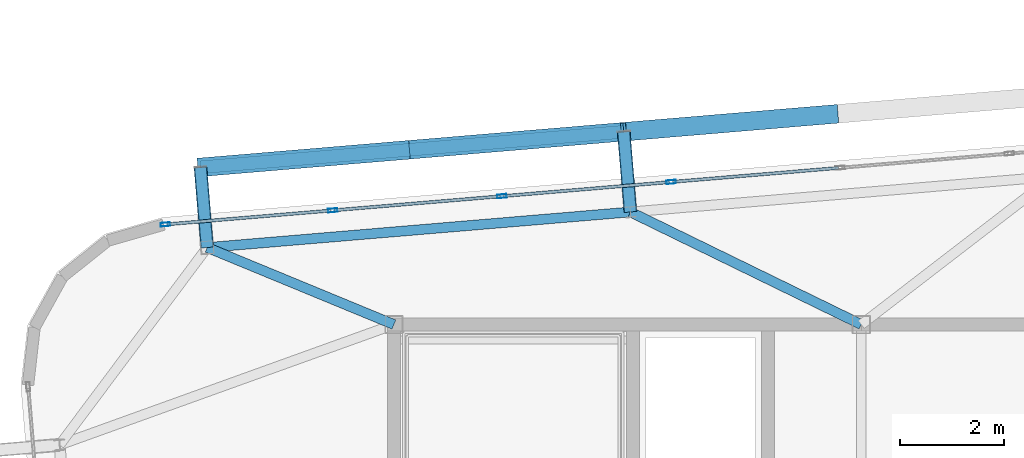
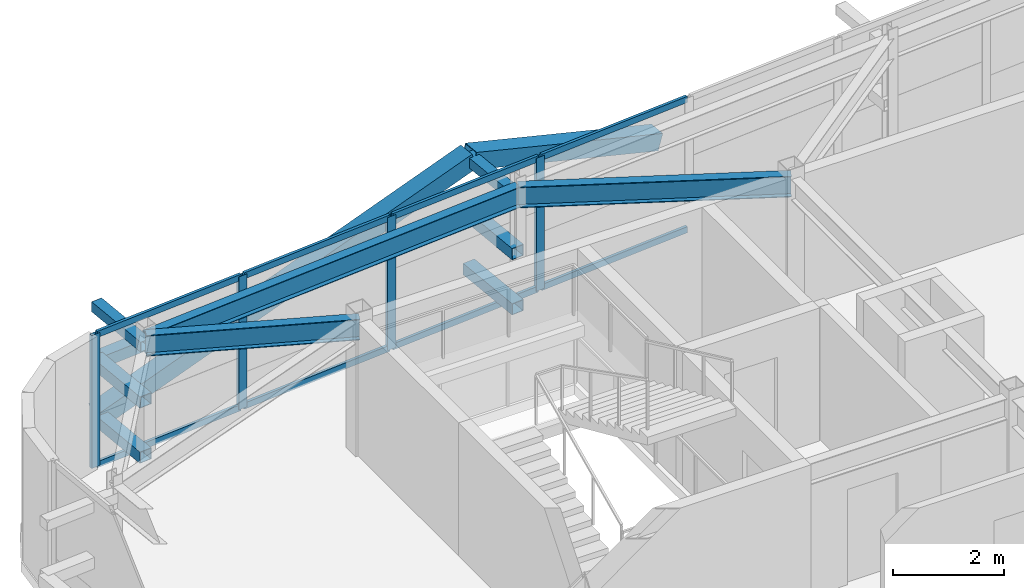
# One storey, part 27 of 46: 22 members, 3 beams, 1 element without a shape of its own.
"""IFC4 building model written with IfcOpenShell, lengths in metres."""

from ifc_helpers import new_model, si_unit, direction, frame, origin, origin_2d, place, context, subcontext, project, spatial, hollow_rectangle, i_section, extrude, source, transform, mapped, material, layer, layer_set, material_profile, profile_set, type_object, element, aggregate, save


model = new_model("IFC4")

# Units and contexts
model_context = context("Model", 3, precision=1e-05, world=origin(), true_north=direction((0.0, 1.0)))
body_context = subcontext(model_context, "Body", "Model", "MODEL_VIEW")
ifc_project = project(units=[si_unit("LENGTHUNIT", "METRE"), si_unit("AREAUNIT", "SQUARE_METRE"), si_unit("VOLUMEUNIT", "CUBIC_METRE"), si_unit("PLANEANGLEUNIT", "RADIAN"), si_unit("MASSUNIT", "GRAM", prefix="KILO")], contexts=[model_context])

# Site, building, storey
site_placement = place(None, origin())
site = spatial("IfcSite", under=ifc_project, at=site_placement, CompositionType="ELEMENT")
building_placement = place(site_placement, origin())
building = spatial("IfcBuilding", under=site, at=building_placement, Name="Taldren Reach Tower", CompositionType="ELEMENT")
storey_placement = place(building_placement, frame((0.0, 0.0, 185.14990234375)))
storey = spatial("IfcBuildingStorey", under=building, at=storey_placement, Name="L56", CompositionType="ELEMENT", Elevation=185.14990234375)

# Members
ifc_material_1 = material(Name="Steel Gr 350 (C350L0)", Category="steel")
ifc_material_profile_1 = material_profile(ifc_material_1, hollow_rectangle(XDim=0.25, YDim=0.25, WallThickness=0.010009765625, at=origin_2d()), Name="250x250x10.0SHS")
ifc_profile_set_1 = profile_set([ifc_material_profile_1], Name="Steel Gr 350 (C350L0)")
member_type_1 = type_object("IfcMemberType", Name="MB-POST250", PredefinedType="POST", material=ifc_profile_set_1)
shared_shape_1 = source(origin(), body_context, "Body", "SweptSolid", [
    extrude(hollow_rectangle(XDim=0.25, YDim=0.25, WallThickness=0.010009765625, at=origin_2d()), origin(), (0.0, 0.0, 1.0), 1.5498046875),
])
for number, where, z_axis, x_axis, name in (
    (1, (15.40380859375, 33.483642578125, 0.22021484375), (-0.083645141657, 0.996495604746, 0.0), (-0.996495604746, -0.083645141657, 0.0), "Exoskeleton base diaphragm tie strut B4-N1 L56"),
    (2, (15.40380859375, 33.483642578125, 1.43505859375), (-0.083645141657, 0.996495604746, 0.0), (-0.996495604746, -0.083645141657, 0.0), "Exoskeleton mid-tier diaphragm tie B4-N1 L56"),
):
    element("IfcMember", number, at=place(storey_placement, frame(where, z_axis=z_axis, x_axis=x_axis)), inside=storey, type_object=member_type_1, Name=name, PredefinedType="POST", context=body_context, shape_type="MappedRepresentation", body=[
        mapped(shared_shape_1, transform((0.0, 0.0, 0.0), scale=1.0)),
    ])
shared_shape_2 = source(origin(), body_context, "Body", "SweptSolid", [
    extrude(hollow_rectangle(XDim=0.25, YDim=0.25, WallThickness=0.010009765625, at=origin_2d()), origin(), (0.0, 0.0, 1.0), 1.550048828125),
])
for number, where, z_axis, x_axis, name in (
    (3, (23.55517578125, 34.16796875, 0.22021484375), (-0.083788408178, 0.996483568683, 0.0), (-0.996483568683, -0.083788408178, 0.0), "Exoskeleton base diaphragm tie strut B4-N2 L56"),
    (4, (23.55517578125, 34.16796875, 1.43505859375), (-0.083788408178, 0.996483568683, 0.0), (-0.996483568683, -0.083788408178, 0.0), "Exoskeleton mid-tier diaphragm tie B4-N2 L56"),
):
    element("IfcMember", number, at=place(storey_placement, frame(where, z_axis=z_axis, x_axis=x_axis)), inside=storey, type_object=member_type_1, Name=name, PredefinedType="POST", context=body_context, shape_type="MappedRepresentation", body=[
        mapped(shared_shape_2, transform((0.0, 0.0, 0.0), scale=1.0)),
    ])

# Beams
ifc_material_2 = material(Name="Steel Gr 350 (350PLUS)", Category="steel")
ifc_material_profile_2 = material_profile(ifc_material_2, i_section(OverallWidth=0.18994140625, OverallDepth=0.4541015625, WebThickness=0.008544921875, FlangeThickness=0.0126953125, at=origin_2d()), Name="460UB67.1")
ifc_profile_set_2 = profile_set([ifc_material_profile_2], Name="Steel Gr 350 (350PLUS)")
beam_type_1 = type_object("IfcBeamType", Name="SP-UB460B", PredefinedType="SPANDREL", material=ifc_profile_set_2)
shared_shape_3 = source(origin(), body_context, "Body", "SweptSolid", [
    extrude(i_section(OverallWidth=0.18994140625, OverallDepth=0.4541015625, WebThickness=0.008544921875, FlangeThickness=0.0126953125, at=origin_2d()), origin(), (0.0, 0.0, 1.0), 8.179931640625),
])
beam_1_placement = place(storey_placement, frame((23.55517578125, 34.16796875, 2.703125), z_axis=(-0.996494523218, -0.083658025296, 0.0), x_axis=(0.083658025296, -0.996494523218, 0.0)))
element("IfcBeam", 5, at=beam_1_placement, inside=storey, type_object=beam_type_1, Name="Perimeter spandrel B4 N2-N1 L56", PredefinedType="SPANDREL", context=body_context, shape_type="MappedRepresentation", body=[
    mapped(shared_shape_3, transform((0.0, 0.0, 0.0), scale=1.0)),
])
ifc_material_profile_3 = material_profile(ifc_material_2, i_section(OverallWidth=0.19091796875, OverallDepth=0.4599609375, WebThickness=0.010009765625, FlangeThickness=0.01611328125, at=origin_2d()), Name="460UB82.1")
ifc_profile_set_3 = profile_set([ifc_material_profile_3], Name="Steel Gr 350 (350PLUS)")
beam_type_2 = type_object("IfcBeamType", Name="BM-UB460A", PredefinedType="BEAM", material=ifc_profile_set_3)
shared_shape_4 = source(origin(), body_context, "Body", "SweptSolid", [
    extrude(i_section(OverallWidth=0.19091796875, OverallDepth=0.4599609375, WebThickness=0.010009765625, FlangeThickness=0.01611328125, at=origin_2d()), origin(), (0.0, 0.0, 1.0), 4.9453125),
])
beam_2_placement = place(storey_placement, frame((28.0, 32.0, 2.7001953125), z_axis=(-0.898787423235, 0.438384725823, 0.0), x_axis=(-0.438384725823, -0.898787423235, 0.0)))
element("IfcBeam", 6, at=beam_2_placement, inside=storey, type_object=beam_type_2, Name="Primary floor girder B4-N2 L56", PredefinedType="BEAM", context=body_context, shape_type="MappedRepresentation", body=[
    mapped(shared_shape_4, transform((0.0, 0.0, 0.0), scale=1.0)),
])
shared_shape_5 = source(origin(), body_context, "Body", "SweptSolid", [
    extrude(i_section(OverallWidth=0.19091796875, OverallDepth=0.4599609375, WebThickness=0.010009765625, FlangeThickness=0.01611328125, at=origin_2d()), origin(), (0.0, 0.0, 1.0), 3.89013671875),
])
beam_3_placement = place(storey_placement, frame((19.0, 32.0, 2.7001953125), z_axis=(-0.924419242179, 0.381377850287, 0.0), x_axis=(-0.381377850287, -0.924419242179, 0.0)))
element("IfcBeam", 7, at=beam_3_placement, inside=storey, type_object=beam_type_2, Name="Primary floor girder B4-N1 L56", PredefinedType="BEAM", context=body_context, shape_type="MappedRepresentation", body=[
    mapped(shared_shape_5, transform((0.0, 0.0, 0.0), scale=1.0)),
])

# Members
ifc_material_3 = material(Name="Steel Gr 450 (C450L0)", Category="steel")
ifc_material_profile_4 = material_profile(ifc_material_3, hollow_rectangle(XDim=0.219970703125, YDim=0.219970703125, WallThickness=0.00830078125, at=origin_2d()), Name="220x220x8.2SHS")
ifc_profile_set_4 = profile_set([ifc_material_profile_4], Name="Steel Gr 450 (C450L0)")
member_type_2 = type_object("IfcMemberType", Name="MB-TIE219", PredefinedType="STRUT", material=ifc_profile_set_4)
shared_shape_6 = source(origin(), body_context, "Body", "SweptSolid", [
    extrude(hollow_rectangle(XDim=0.219970703125, YDim=0.219970703125, WallThickness=0.00830078125, at=origin_2d()), origin(), (0.0, 0.0, 1.0), 1.5498046875),
])
member_1_placement = place(storey_placement, frame((15.40380859375, 33.483642578125, 2.650146484375), z_axis=(-0.083645141657, 0.996495604746, 0.0), x_axis=(-0.996495604746, -0.083645141657, 0.0)))
element("IfcMember", 8, at=member_1_placement, inside=storey, type_object=member_type_2, Name="Exoskeleton diaphragm tie strut B4-N1 L56", PredefinedType="STRUT", context=body_context, shape_type="MappedRepresentation", body=[
    mapped(shared_shape_6, transform((0.0, 0.0, 0.0), scale=1.0)),
])
shared_shape_7 = source(origin(), body_context, "Body", "SweptSolid", [
    extrude(hollow_rectangle(XDim=0.219970703125, YDim=0.219970703125, WallThickness=0.00830078125, at=origin_2d()), origin(), (0.0, 0.0, 1.0), 1.550048828125),
])
member_2_placement = place(storey_placement, frame((23.55517578125, 34.16796875, 2.650146484375), z_axis=(-0.083788408178, 0.996483568683, 0.0), x_axis=(-0.996483568683, -0.083788408178, 0.0)))
element("IfcMember", 9, at=member_2_placement, inside=storey, type_object=member_type_2, Name="Exoskeleton diaphragm tie strut B4-N2 L56", PredefinedType="STRUT", context=body_context, shape_type="MappedRepresentation", body=[
    mapped(shared_shape_7, transform((0.0, 0.0, 0.0), scale=1.0)),
])
shared_shape_8 = source(origin(), body_context, "Body", "SweptSolid", [
    extrude(hollow_rectangle(XDim=0.25, YDim=0.25, WallThickness=0.010009765625, at=origin_2d()), origin(), (0.0, 0.0, 1.0), 8.179931640625),
])
member_3_placement = place(storey_placement, frame((15.274169921875, 35.028076171875, 1.43505859375), z_axis=(0.99649182565, 0.08369015123, 0.0), x_axis=(-0.08369015123, 0.99649182565, 0.0)))
element("IfcMember", 10, at=member_3_placement, inside=storey, type_object=member_type_1, Name="Exoskeleton mid-height ring chord B4-N1 L56", PredefinedType="POST", context=body_context, shape_type="MappedRepresentation", body=[
    mapped(shared_shape_8, transform((0.0, 0.0, 0.0), scale=1.0)),
])
ifc_material_profile_5 = material_profile(ifc_material_3, hollow_rectangle(XDim=0.360107421875, YDim=0.360107421875, WallThickness=0.0126953125, at=origin_2d()), Name="360x360x12.7SHS")
ifc_profile_set_5 = profile_set([ifc_material_profile_5], Name="Steel Gr 450 (C450L0)")
member_type_3 = type_object("IfcMemberType", Name="MB-EXO356", PredefinedType="BRACE", material=ifc_profile_set_5)
shared_shape_9 = source(origin(), body_context, "Body", "SweptSolid", [
    extrude(hollow_rectangle(XDim=0.360107421875, YDim=0.360107421875, WallThickness=0.0126953125, at=origin_2d()), origin(), (0.0, 0.0, 1.0), 4.2666015625),
])
for number, where, z_axis, x_axis, name in (
    (11, (15.274169921875, 35.028076171875, 0.22021484375), (0.955244723646, 0.080223619417, 0.284730906006), (-0.083687662192, 0.996492034688, 0.0), "Exoskeleton Diagrid Brace B4-N1 L56"),
    (12, (27.5009765625, 36.054931640625, 1.43505859375), (-0.955229159097, -0.080222312271, 0.284783486572), (0.083687662192, -0.996492034688, 0.0), "Exoskeleton Diagrid Brace B4-N2 L56"),
):
    element("IfcMember", number, at=place(storey_placement, frame(where, z_axis=z_axis, x_axis=x_axis)), inside=storey, type_object=member_type_3, Name=name, PredefinedType="BRACE", context=body_context, shape_type="MappedRepresentation", body=[
        mapped(shared_shape_9, transform((0.0, 0.0, 0.0), scale=1.0)),
    ])
shared_shape_10 = source(origin(), body_context, "Body", "SweptSolid", [
    extrude(hollow_rectangle(XDim=0.360107421875, YDim=0.360107421875, WallThickness=0.0126953125, at=origin_2d()), origin(), (0.0, 0.0, 1.0), 4.266357421875),
])
member_4_placement = place(storey_placement, frame((19.349853515625, 35.370361328125, 1.43505859375), z_axis=(0.955224149813, 0.080226697301, 0.284799053113), x_axis=(-0.083692640416, 0.996491616593, 0.0)))
element("IfcMember", 13, at=member_4_placement, inside=storey, type_object=member_type_3, Name="Exoskeleton Diagrid Brace B4-N1 L56", PredefinedType="BRACE", context=body_context, shape_type="MappedRepresentation", body=[
    mapped(shared_shape_10, transform((0.0, 0.0, 0.0), scale=1.0)),
])

# Curtain wall, members
ifc_material_4 = material(Name="Aluminium and Low-E Glass Unitised System", Category="aluminium")
ifc_layer = layer(ifc_material_4, 0.159912109375)
ifc_layer_set = layer_set([ifc_layer], Name="Aluminium and Low-E Glass Unitised System")
curtain_wall_type = type_object("IfcCurtainWallType", Name="CW-SYS-5", PredefinedType="NOTDEFINED", material=ifc_layer_set)
curtain_wall_placement = place(storey_placement, origin())
curtain_wall = element("IfcCurtainWall", 14, at=curtain_wall_placement, inside=storey, type_object=curtain_wall_type, Name="Unitised curtain wall CW-L56-N", PredefinedType="NOTDEFINED")
ifc_material_5 = material(Name="Anodised Aluminium 6063-T6", Category="aluminium")
ifc_material_profile_6 = material_profile(ifc_material_5, hollow_rectangle(XDim=0.070068359375, YDim=0.179931640625, WallThickness=0.00390625, at=origin_2d()), Name="ALU-180x70x4RHS")
ifc_profile_set_6 = profile_set([ifc_material_profile_6], Name="Anodised Aluminium 6063-T6")
member_type_4 = type_object("IfcMemberType", Name="CW-MUL-180", PredefinedType="MULLION", material=ifc_profile_set_6)
shared_shape_11 = source(origin(), body_context, "Body", "SweptSolid", [
    extrude(hollow_rectangle(XDim=0.070068359375, YDim=0.179931640625, WallThickness=0.00390625, at=origin_2d()), origin(), (0.0, 0.0, 1.0), 2.93017578125),
])
member_5_placement = place(storey_placement, frame((24.337158203125, 34.74560546875, 0.0), z_axis=(0.0, 0.0, 1.0), x_axis=(0.083677875247, -0.99649285657, 0.0)))
member_5 = element("IfcMember", 15, at=member_5_placement, type_object=member_type_4, Name="CW-5 mullion 11", PredefinedType="MULLION", context=body_context, shape_type="MappedRepresentation", body=[
    mapped(shared_shape_11, transform((0.0, 0.0, 0.0), scale=1.0)),
])
member_6_placement = place(storey_placement, frame((21.079345703125, 34.471923828125, 0.0), z_axis=(0.0, 0.0, 1.0), x_axis=(0.083677875247, -0.99649285657, 0.0)))
member_6 = element("IfcMember", 16, at=member_6_placement, type_object=member_type_4, Name="CW-5 mullion 12", PredefinedType="MULLION", context=body_context, shape_type="MappedRepresentation", body=[
    mapped(shared_shape_11, transform((0.0, 0.0, 0.0), scale=1.0)),
])
member_7_placement = place(storey_placement, frame((17.82177734375, 34.198486328125, 0.0), z_axis=(0.0, 0.0, 1.0), x_axis=(0.083677875247, -0.99649285657, 0.0)))
member_7 = element("IfcMember", 17, at=member_7_placement, type_object=member_type_4, Name="CW-5 mullion 13", PredefinedType="MULLION", context=body_context, shape_type="MappedRepresentation", body=[
    mapped(shared_shape_11, transform((0.0, 0.0, 0.0), scale=1.0)),
])
member_8_placement = place(storey_placement, frame((14.598876953125, 33.927734375, 0.0), z_axis=(0.0, 0.0, 1.0), x_axis=(0.083677875247, -0.99649285657, 0.0)))
member_8 = element("IfcMember", 18, at=member_8_placement, type_object=member_type_4, Name="CW-5 mullion 14", PredefinedType="MULLION", context=body_context, shape_type="MappedRepresentation", body=[
    mapped(shared_shape_11, transform((0.0, 0.0, 0.0), scale=1.0)),
])
ifc_material_profile_7 = material_profile(ifc_material_5, hollow_rectangle(XDim=0.06005859375, YDim=0.135009765625, WallThickness=0.00341796875, at=origin_2d()), Name="ALU-135x60x3.5RHS")
ifc_profile_set_7 = profile_set([ifc_material_profile_7], Name="Anodised Aluminium 6063-T6")
member_type_5 = type_object("IfcMemberType", Name="CW-TRN-150", PredefinedType="USERDEFINED", material=ifc_profile_set_7)
shared_shape_12 = source(origin(), body_context, "Body", "SweptSolid", [
    extrude(hollow_rectangle(XDim=0.06005859375, YDim=0.135009765625, WallThickness=0.00341796875, at=origin_2d()), origin(), (0.0, 0.0, 1.0), 3.1640625),
])
member_9_placement = place(storey_placement, frame((17.786865234375, 34.195556640625, 0.030029296875), z_axis=(-0.996489659996, -0.083715933496, 0.0), x_axis=(0.083715933496, -0.996489659996, 0.0)))
member_9 = element("IfcMember", 19, at=member_9_placement, type_object=member_type_5, Name="CW-5 transom 13.1", ObjectType="TRANSOM", PredefinedType="USERDEFINED", context=body_context, shape_type="MappedRepresentation", body=[
    mapped(shared_shape_12, transform((0.0, 0.0, 0.0), scale=1.0)),
])
member_10_placement = place(storey_placement, frame((17.786865234375, 34.195556640625, 2.900146484375), z_axis=(-0.996489659996, -0.083715933496, 0.0), x_axis=(0.083715933496, -0.996489659996, 0.0)))
member_10 = element("IfcMember", 20, at=member_10_placement, type_object=member_type_5, Name="CW-5 transom 13.2", ObjectType="TRANSOM", PredefinedType="USERDEFINED", context=body_context, shape_type="MappedRepresentation", body=[
    mapped(shared_shape_12, transform((0.0, 0.0, 0.0), scale=1.0)),
])
shared_shape_13 = source(origin(), body_context, "Body", "SweptSolid", [
    extrude(hollow_rectangle(XDim=0.06005859375, YDim=0.135009765625, WallThickness=0.00341796875, at=origin_2d()), origin(), (0.0, 0.0, 1.0), 3.19921875),
])
member_11_placement = place(storey_placement, frame((27.56005859375, 35.01611328125, 0.030029296875), z_axis=(-0.996496109493, -0.083639128198, 0.0), x_axis=(0.083639128198, -0.996496109493, 0.0)))
member_11 = element("IfcMember", 21, at=member_11_placement, type_object=member_type_5, Name="CW-5 transom 10.1", ObjectType="TRANSOM", PredefinedType="USERDEFINED", context=body_context, shape_type="MappedRepresentation", body=[
    mapped(shared_shape_13, transform((0.0, 0.0, 0.0), scale=1.0)),
])
member_12_placement = place(storey_placement, frame((27.56005859375, 35.01611328125, 2.900146484375), z_axis=(-0.996496109493, -0.083639128198, 0.0), x_axis=(0.083639128198, -0.996496109493, 0.0)))
member_12 = element("IfcMember", 22, at=member_12_placement, type_object=member_type_5, Name="CW-5 transom 10.2", ObjectType="TRANSOM", PredefinedType="USERDEFINED", context=body_context, shape_type="MappedRepresentation", body=[
    mapped(shared_shape_13, transform((0.0, 0.0, 0.0), scale=1.0)),
])
member_13_placement = place(storey_placement, frame((24.30224609375, 34.74267578125, 0.030029296875), z_axis=(-0.996489746258, -0.083714906697, 0.0), x_axis=(0.083714906697, -0.996489746258, 0.0)))
member_13 = element("IfcMember", 23, at=member_13_placement, type_object=member_type_5, Name="CW-5 transom 11.1", ObjectType="TRANSOM", PredefinedType="USERDEFINED", context=body_context, shape_type="MappedRepresentation", body=[
    mapped(shared_shape_13, transform((0.0, 0.0, 0.0), scale=1.0)),
])
member_14_placement = place(storey_placement, frame((24.30224609375, 34.74267578125, 2.900146484375), z_axis=(-0.996489746258, -0.083714906697, 0.0), x_axis=(0.083714906697, -0.996489746258, 0.0)))
member_14 = element("IfcMember", 24, at=member_14_placement, type_object=member_type_5, Name="CW-5 transom 11.2", ObjectType="TRANSOM", PredefinedType="USERDEFINED", context=body_context, shape_type="MappedRepresentation", body=[
    mapped(shared_shape_13, transform((0.0, 0.0, 0.0), scale=1.0)),
])
shared_shape_14 = source(origin(), body_context, "Body", "SweptSolid", [
    extrude(hollow_rectangle(XDim=0.06005859375, YDim=0.135009765625, WallThickness=0.00341796875, at=origin_2d()), origin(), (0.0, 0.0, 1.0), 3.199462890625),
])
member_15_placement = place(storey_placement, frame((21.044677734375, 34.468994140625, 0.030029296875), z_axis=(-0.99649664328, -0.083632768285, 0.0), x_axis=(0.083632768285, -0.99649664328, 0.0)))
member_15 = element("IfcMember", 25, at=member_15_placement, type_object=member_type_5, Name="CW-5 transom 12.1", ObjectType="TRANSOM", PredefinedType="USERDEFINED", context=body_context, shape_type="MappedRepresentation", body=[
    mapped(shared_shape_14, transform((0.0, 0.0, 0.0), scale=1.0)),
])
member_16_placement = place(storey_placement, frame((21.044677734375, 34.468994140625, 2.900146484375), z_axis=(-0.99649664328, -0.083632768285, 0.0), x_axis=(0.083632768285, -0.99649664328, 0.0)))
member_16 = element("IfcMember", 26, at=member_16_placement, type_object=member_type_5, Name="CW-5 transom 12.2", ObjectType="TRANSOM", PredefinedType="USERDEFINED", context=body_context, shape_type="MappedRepresentation", body=[
    mapped(shared_shape_14, transform((0.0, 0.0, 0.0), scale=1.0)),
])
aggregate(curtain_wall, [member_5, member_6, member_7, member_8, member_11, member_12, member_13, member_14, member_15, member_16, member_9, member_10])

save(model, "model.ifc")
